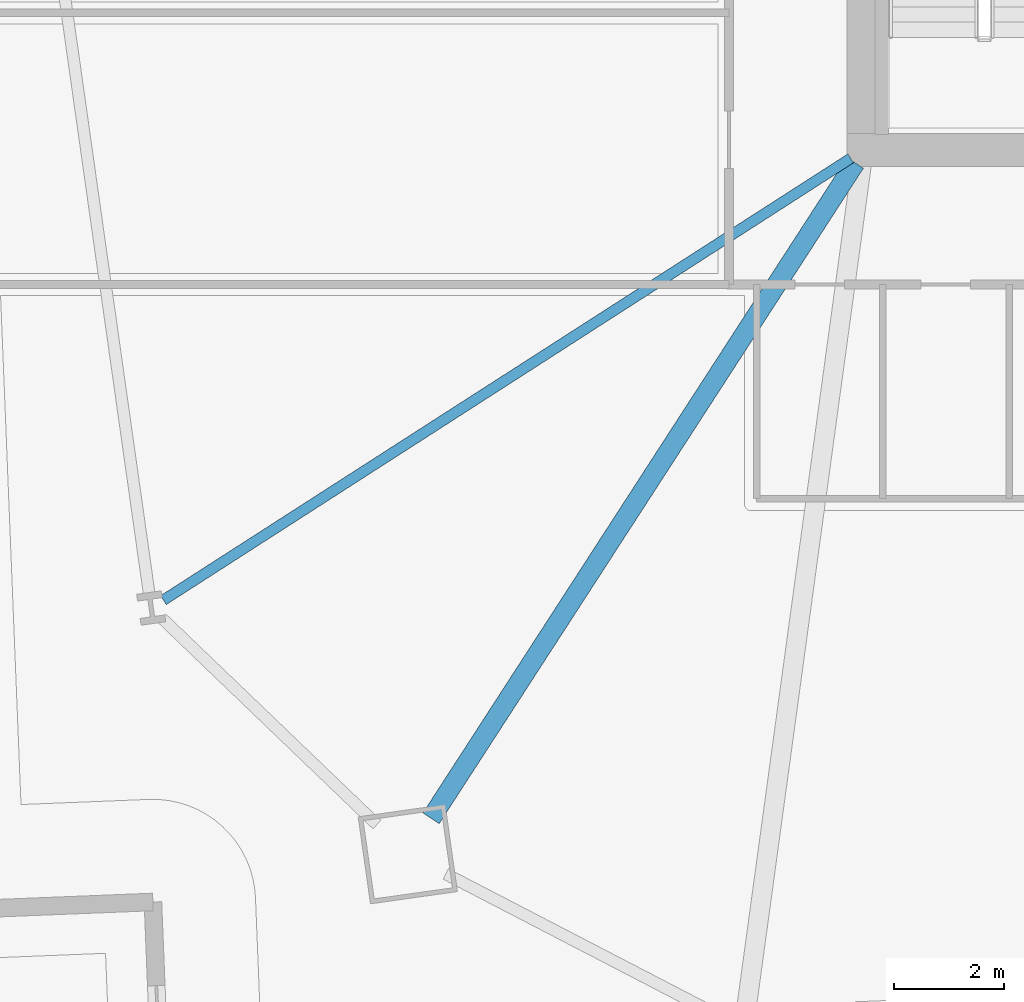
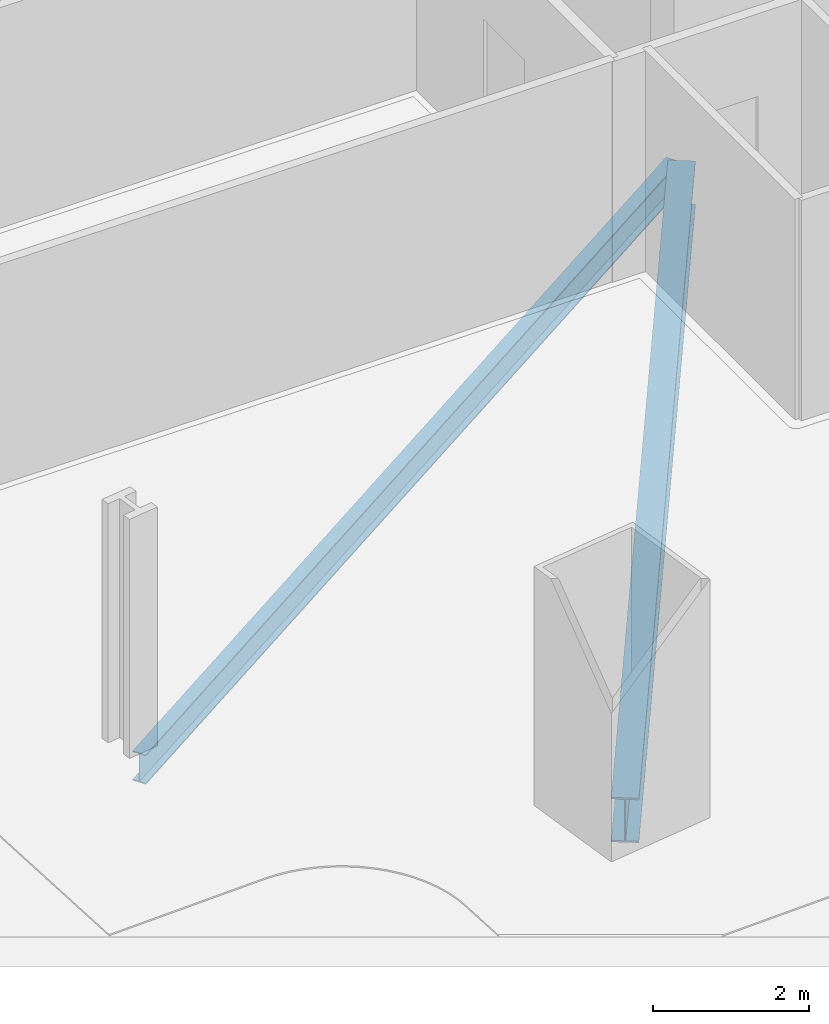
# One storey, part 4 of 32: 2 beams.
"""IFC4 building model written with IfcOpenShell, lengths in metres."""

from ifc_helpers import new_model, si_unit, direction, frame, origin, origin_2d, place, context, subcontext, project, spatial, i_section, extrude, material, material_profile, profile_set, type_object, element, save


model = new_model("IFC4")

# Units and contexts
model_context = context("Model", 3, precision=1e-05, world=origin(), true_north=direction((0.0, 1.0)))
body_context = subcontext(model_context, "Body", "Model", "MODEL_VIEW")
ifc_project = project(units=[si_unit("LENGTHUNIT", "METRE"), si_unit("AREAUNIT", "SQUARE_METRE"), si_unit("VOLUMEUNIT", "CUBIC_METRE"), si_unit("PLANEANGLEUNIT", "RADIAN"), si_unit("MASSUNIT", "GRAM", prefix="KILO")], contexts=[model_context])

# Site, building, storey
site_placement = place(None, origin())
site = spatial("IfcSite", under=ifc_project, at=site_placement, CompositionType="ELEMENT")
building_placement = place(site_placement, origin())
building = spatial("IfcBuilding", under=site, at=building_placement, Name="Haldenkirk Collegiate Tower", CompositionType="ELEMENT")
storey_placement = place(building_placement, frame((0.0, 0.0, 36.449951171875)))
storey = spatial("IfcBuildingStorey", under=building, at=storey_placement, Name="L07", CompositionType="ELEMENT", Elevation=36.449951171875)

# Beams
ifc_material = material(Name="Steel ASTM A992 Grade 50", Category="steel")
ifc_material_profile_1 = material_profile(ifc_material, i_section(OverallWidth=0.35498046875, OverallDepth=0.696044921875, WebThickness=0.015380859375, FlangeThickness=0.02490234375, at=origin_2d()), Name="W27X146")
ifc_profile_set_1 = profile_set([ifc_material_profile_1], Name="Steel ASTM A992 Grade 50")
beam_type_1 = type_object("IfcBeamType", Name="BM-GIRDER-W27X146", PredefinedType="BEAM", material=ifc_profile_set_1)
beam_1_placement = place(storey_placement, frame((19.1201171875, 5.826416015625, -0.657958984375), z_axis=(0.54339434448, 0.839477567531, 0.0), x_axis=(-0.839477567531, 0.54339434448, 0.0)))
element("IfcBeam", 1, at=beam_1_placement, inside=storey, type_object=beam_type_1, Name="L07 primary floor girder 01", PredefinedType="BEAM", context=body_context, shape_type="SweptSolid", body=[
    extrude(i_section(OverallWidth=0.35498046875, OverallDepth=0.696044921875, WebThickness=0.015380859375, FlangeThickness=0.02490234375, at=origin_2d()), origin(), (0.0, 0.0, 1.0), 14.221435546875),
])
ifc_material_profile_2 = material_profile(ifc_material, i_section(OverallWidth=0.19189453125, OverallDepth=0.462890625, WebThickness=0.010498046875, FlangeThickness=0.017578125, at=origin_2d()), Name="W18X60")
ifc_profile_set_2 = profile_set([ifc_material_profile_2], Name="Steel ASTM A992 Grade 50")
beam_type_2 = type_object("IfcBeamType", Name="BM-JOIST-W18X60", PredefinedType="JOIST", material=ifc_profile_set_2)
beam_2_placement = place(storey_placement, frame((14.244384765625, 9.80029296875, -0.54150390625), z_axis=(0.841185936654, 0.540745984707, 0.0), x_axis=(-0.540745984707, 0.841185936654, 0.0)))
element("IfcBeam", 2, at=beam_2_placement, inside=storey, type_object=beam_type_2, Name="L07 composite floor joist 16", PredefinedType="JOIST", context=body_context, shape_type="SweptSolid", body=[
    extrude(i_section(OverallWidth=0.19189453125, OverallDepth=0.462890625, WebThickness=0.010498046875, FlangeThickness=0.017578125, at=origin_2d()), origin(), (0.0, 0.0, 1.0), 14.8837890625),
])

save(model, "model.ifc")
